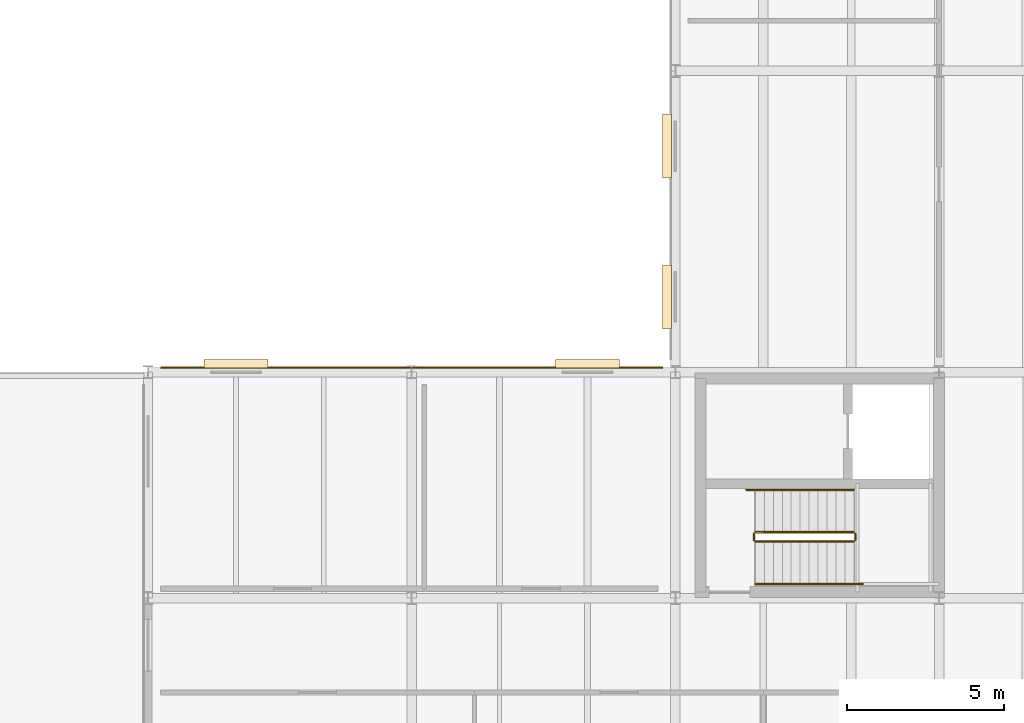
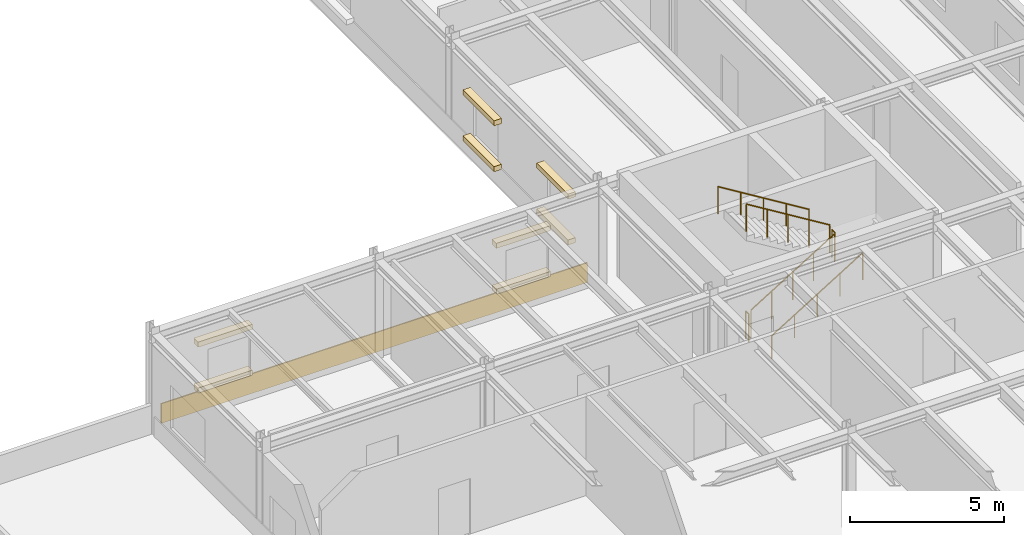
# One storey, part 68 of 69: 9 coverings, 6 railings.
"""IFC4 building model written with IfcOpenShell, lengths in metres."""

from ifc_helpers import new_model, si_unit, direction, frame, origin, origin_2d, place, context, subcontext, project, spatial, rectangle, circle, extrude, material, layer, layer_set, type_object, element, save


model = new_model("IFC4")

# Units and contexts
model_context = context("Model", 3, precision=1e-05, world=origin(), true_north=direction((0.0, 1.0)))
body_context = subcontext(model_context, "Body", "Model", "MODEL_VIEW")
ifc_project = project(units=[si_unit("LENGTHUNIT", "METRE"), si_unit("AREAUNIT", "SQUARE_METRE"), si_unit("VOLUMEUNIT", "CUBIC_METRE"), si_unit("PLANEANGLEUNIT", "RADIAN"), si_unit("MASSUNIT", "GRAM", prefix="KILO")], contexts=[model_context])

# Site, building, storey
site_placement = place(None, origin())
site = spatial("IfcSite", under=ifc_project, at=site_placement, CompositionType="ELEMENT")
building_placement = place(site_placement, origin())
building = spatial("IfcBuilding", under=site, at=building_placement, Name="Montealbar Specialist Clinic", CompositionType="ELEMENT")
storey_placement = place(building_placement, frame((0.0, 0.0, 9.60009765625)))
storey = spatial("IfcBuildingStorey", under=building, at=storey_placement, Name="L02", CompositionType="ELEMENT", Elevation=9.60009765625)

# Coverings
ifc_material_1 = material(Name="Terracotta architectural cladding", Category="masonry")
ifc_layer_1 = layer(ifc_material_1, 0.044921875, Name="Terracotta architectural cladding", Category="masonry")
ifc_layer_set_1 = layer_set([ifc_layer_1], Name="Terracotta architectural cladding")
covering_type_1 = type_object("IfcCoveringType", Name="COV-CLAD-TERRA", PredefinedType="CLADDING", material=ifc_layer_set_1)
covering_placement = place(storey_placement, frame((136.800048828125, 52.35107421875, 0.02978515625), z_axis=(0.0, 0.0, 1.0), x_axis=(1.0, 0.0, 0.0)))
element("IfcCovering", 1, at=covering_placement, inside=storey, type_object=covering_type_1, Name="Facade Plinth Cladding Band L02-040", PredefinedType="CLADDING", context=body_context, shape_type="SweptSolid", body=[
    extrude(rectangle(XDim=16.0, YDim=0.044921875, at=origin_2d()), origin(), (0.0, 0.0, 1.0), 0.780029296875),
])
ifc_material_2 = material(Name="Guadarrama granite ashlar", Category="masonry")
ifc_layer_2 = layer(ifc_material_2, 0.280029296875, Name="Guadarrama granite ashlar", Category="masonry")
ifc_layer_set_2 = layer_set([ifc_layer_2], Name="Guadarrama granite ashlar")
covering_type_2 = type_object("IfcCoveringType", Name="COV-HOOD-OCULUS", PredefinedType="CLADDING", material=ifc_layer_set_2)
for number, where, z_axis, x_axis, name in (
    (2, (144.93505859375, 54.60009765625, 2.57470703125), (0.0, 0.0, 1.0), (0.0, 1.0, 0.0), "Postmodern Oculus Stone Frame L02-049-TOP"),
    (3, (144.93505859375, 54.60009765625, 0.7548828125), (0.0, 0.0, 1.0), (0.0, 1.0, 0.0), "Postmodern Oculus Stone Frame L02-049-BOT"),
    (4, (144.93505859375, 59.39990234375, 2.57470703125), (0.0, 0.0, 1.0), (0.0, 1.0, 0.0), "Postmodern Oculus Stone Frame L02-050-TOP"),
    (5, (144.93505859375, 59.39990234375, 0.7548828125), (0.0, 0.0, 1.0), (0.0, 1.0, 0.0), "Postmodern Oculus Stone Frame L02-050-BOT"),
    (6, (131.199951171875, 52.465087890625, 2.57470703125), (0.0, 0.0, 1.0), (1.0, 0.0, 0.0), "Postmodern Oculus Stone Frame L02-063-TOP"),
    (7, (131.199951171875, 52.465087890625, 0.7548828125), (0.0, 0.0, 1.0), (1.0, 0.0, 0.0), "Postmodern Oculus Stone Frame L02-063-BOT"),
    (8, (142.39990234375, 52.465087890625, 2.57470703125), (0.0, 0.0, 1.0), (1.0, 0.0, 0.0), "Postmodern Oculus Stone Frame L02-064-TOP"),
    (9, (142.39990234375, 52.465087890625, 0.7548828125), (0.0, 0.0, 1.0), (1.0, 0.0, 0.0), "Postmodern Oculus Stone Frame L02-064-BOT"),
):
    element("IfcCovering", number, at=place(storey_placement, frame(where, z_axis=z_axis, x_axis=x_axis)), inside=storey, type_object=covering_type_2, Name=name, PredefinedType="CLADDING", context=body_context, shape_type="SweptSolid", body=[
        extrude(rectangle(XDim=2.0400390625, YDim=0.280029296875, at=origin_2d()), origin(), (0.0, 0.0, 1.0), 0.199951171875),
    ])

# Railings
ifc_material_3 = material(Name="Steel S355", Category="steel")
ifc_layer_3 = layer(ifc_material_3, 0.050048828125, Name="Steel S355", Category="steel")
ifc_layer_set_3 = layer_set([ifc_layer_3], Name="Steel S355")
railing_type_1 = type_object("IfcRailingType", Name="RAIL-STAIR-BAL-1100", PredefinedType="BALUSTRADE", material=ifc_layer_set_3)
railing_1_placement = place(storey_placement, frame((147.75, 46.800048828125, 0.1748046875)))
element("IfcRailing", 10, at=railing_1_placement, inside=storey, type_object=railing_type_1, Name="L02 ST-06 stair guard 1", PredefinedType="BALUSTRADE", context=body_context, shape_type="SweptSolid", body=[
    extrude(circle(Radius=0.02392578125, at=origin_2d()), frame((0.0, 0.0, 1.076171875), z_axis=(0.852166034122, 0.0, 0.523271488128), x_axis=(0.0, 1.0, 0.0)), (0.0, 0.0, 1.0), 3.678955078125),
    extrude(circle(Radius=0.02099609375, at=origin_2d()), frame((0.0, 0.0, -0.02490234375)), (0.0, 0.0, 1.0), 1.076904296875),
    extrude(circle(Radius=0.02099609375, at=origin_2d()), frame((0.78369140625, 0.0, 0.456298828125)), (0.0, 0.0, 1.0), 1.076904296875),
    extrude(circle(Radius=0.02099609375, at=origin_2d()), frame((1.5673828125, 0.0, 0.9375)), (0.0, 0.0, 1.0), 1.076904296875),
    extrude(circle(Radius=0.02099609375, at=origin_2d()), frame((2.351318359375, 0.0, 1.418701171875)), (0.0, 0.0, 1.0), 1.076904296875),
    extrude(circle(Radius=0.02099609375, at=origin_2d()), frame((3.135009765625, 0.0, 1.900146484375)), (0.0, 0.0, 1.0), 1.076904296875),
])
railing_2_placement = place(storey_placement, frame((150.93505859375, 46.85009765625, 2.099853515625)))
element("IfcRailing", 11, at=railing_2_placement, inside=storey, type_object=railing_type_1, Name="L02 ST-06 stair guard 2", PredefinedType="BALUSTRADE", context=body_context, shape_type="SweptSolid", body=[
    extrude(circle(Radius=0.02392578125, at=origin_2d()), frame((0.0, 0.0, 1.076171875), z_axis=(0.0, 1.0, 0.0), x_axis=(-1.0, 0.0, 0.0)), (0.0, 0.0, 1.0), 0.199951171875),
    extrude(circle(Radius=0.02099609375, at=origin_2d()), frame((0.0, 0.0, -0.02490234375)), (0.0, 0.0, 1.0), 1.076904296875),
    extrude(circle(Radius=0.02099609375, at=origin_2d()), frame((0.0, 0.199951171875, -0.02490234375)), (0.0, 0.0, 1.0), 1.076904296875),
])
railing_3_placement = place(storey_placement, frame((150.885009765625, 47.10009765625, 2.27490234375)))
element("IfcRailing", 12, at=railing_3_placement, inside=storey, type_object=railing_type_1, Name="L02 ST-06 stair guard 3", PredefinedType="BALUSTRADE", context=body_context, shape_type="SweptSolid", body=[
    extrude(circle(Radius=0.02392578125, at=origin_2d()), frame((0.0, 0.0, 1.076171875), z_axis=(-0.852166034122, 0.0, 0.523271488128), x_axis=(0.0, -1.0, 0.0)), (0.0, 0.0, 1.0), 3.678955078125),
    extrude(circle(Radius=0.02099609375, at=origin_2d()), frame((0.0, 0.0, -0.02490234375)), (0.0, 0.0, 1.0), 1.076904296875),
    extrude(circle(Radius=0.02099609375, at=origin_2d()), frame((-0.78369140625, 0.0, 0.456298828125)), (0.0, 0.0, 1.0), 1.076904296875),
    extrude(circle(Radius=0.02099609375, at=origin_2d()), frame((-1.5673828125, 0.0, 0.9375)), (0.0, 0.0, 1.0), 1.076904296875),
    extrude(circle(Radius=0.02099609375, at=origin_2d()), frame((-2.351318359375, 0.0, 1.418701171875)), (0.0, 0.0, 1.0), 1.076904296875),
    extrude(circle(Radius=0.02099609375, at=origin_2d()), frame((-3.135009765625, 0.0, 1.900146484375)), (0.0, 0.0, 1.0), 1.076904296875),
])
railing_4_placement = place(storey_placement, frame((147.699951171875, 46.85009765625, 0.0)))
element("IfcRailing", 13, at=railing_4_placement, inside=storey, type_object=railing_type_1, Name="L02 ST-06 stair guard 4", PredefinedType="BALUSTRADE", context=body_context, shape_type="SweptSolid", body=[
    extrude(circle(Radius=0.02392578125, at=origin_2d()), frame((0.0, 0.0, 1.076171875), z_axis=(0.0, 1.0, 0.0), x_axis=(-1.0, 0.0, 0.0)), (0.0, 0.0, 1.0), 0.199951171875),
    extrude(circle(Radius=0.02099609375, at=origin_2d()), frame((0.0, 0.0, -0.02490234375)), (0.0, 0.0, 1.0), 1.076904296875),
    extrude(circle(Radius=0.02099609375, at=origin_2d()), frame((0.0, 0.199951171875, -0.02490234375)), (0.0, 0.0, 1.0), 1.076904296875),
])
ifc_layer_4 = layer(ifc_material_3, 0.044921875, Name="Steel S355", Category="steel")
ifc_layer_set_4 = layer_set([ifc_layer_4], Name="Steel S355")
railing_type_2 = type_object("IfcRailingType", Name="RAIL-STAIR-HR-900", PredefinedType="HANDRAIL", material=ifc_layer_set_4)
railing_5_placement = place(storey_placement, frame((147.75, 45.449951171875, 0.1748046875)))
element("IfcRailing", 14, at=railing_5_placement, inside=storey, type_object=railing_type_2, Name="L02 ST-06 stair handrail 1", PredefinedType="HANDRAIL", context=body_context, shape_type="SweptSolid", body=[
    extrude(circle(Radius=0.02392578125, at=origin_2d()), frame((0.0, 0.0, 0.8759765625), z_axis=(0.852155044755, 0.0, 0.523289384279), x_axis=(0.0, 1.0, 0.0)), (0.0, 0.0, 1.0), 4.01318359375),
    extrude(circle(Radius=0.02099609375, at=origin_2d()), frame((0.0, 0.0, -0.02490234375)), (0.0, 0.0, 1.0), 0.876708984375),
    extrude(circle(Radius=0.02099609375, at=origin_2d()), frame((0.85498046875, 0.0, 0.5)), (0.0, 0.0, 1.0), 0.876708984375),
    extrude(circle(Radius=0.02099609375, at=origin_2d()), frame((1.7099609375, 0.0, 1.025146484375)), (0.0, 0.0, 1.0), 0.876708984375),
    extrude(circle(Radius=0.02099609375, at=origin_2d()), frame((2.56494140625, 0.0, 1.550048828125)), (0.0, 0.0, 1.0), 0.876708984375),
    extrude(circle(Radius=0.02099609375, at=origin_2d()), frame((3.419921875, 0.0, 1.900146484375)), (0.0, 0.0, 1.0), 1.0517578125),
])
railing_6_placement = place(storey_placement, frame((150.885009765625, 48.449951171875, 2.27490234375)))
element("IfcRailing", 15, at=railing_6_placement, inside=storey, type_object=railing_type_2, Name="L02 ST-06 stair handrail 2", PredefinedType="HANDRAIL", context=body_context, shape_type="SweptSolid", body=[
    extrude(circle(Radius=0.02392578125, at=origin_2d()), frame((0.0, 0.0, 0.8759765625), z_axis=(-0.852155044755, 0.0, 0.523289384279), x_axis=(0.0, -1.0, 0.0)), (0.0, 0.0, 1.0), 4.01318359375),
    extrude(circle(Radius=0.02099609375, at=origin_2d()), frame((0.0, 0.0, -0.02490234375)), (0.0, 0.0, 1.0), 0.876708984375),
    extrude(circle(Radius=0.02099609375, at=origin_2d()), frame((-0.85498046875, 0.0, 0.5)), (0.0, 0.0, 1.0), 0.876708984375),
    extrude(circle(Radius=0.02099609375, at=origin_2d()), frame((-1.7099609375, 0.0, 1.025146484375)), (0.0, 0.0, 1.0), 0.876708984375),
    extrude(circle(Radius=0.02099609375, at=origin_2d()), frame((-2.56494140625, 0.0, 1.550048828125)), (0.0, 0.0, 1.0), 0.876708984375),
    extrude(circle(Radius=0.02099609375, at=origin_2d()), frame((-3.419921875, 0.0, 1.900146484375)), (0.0, 0.0, 1.0), 1.0517578125),
])

save(model, "model.ifc")
